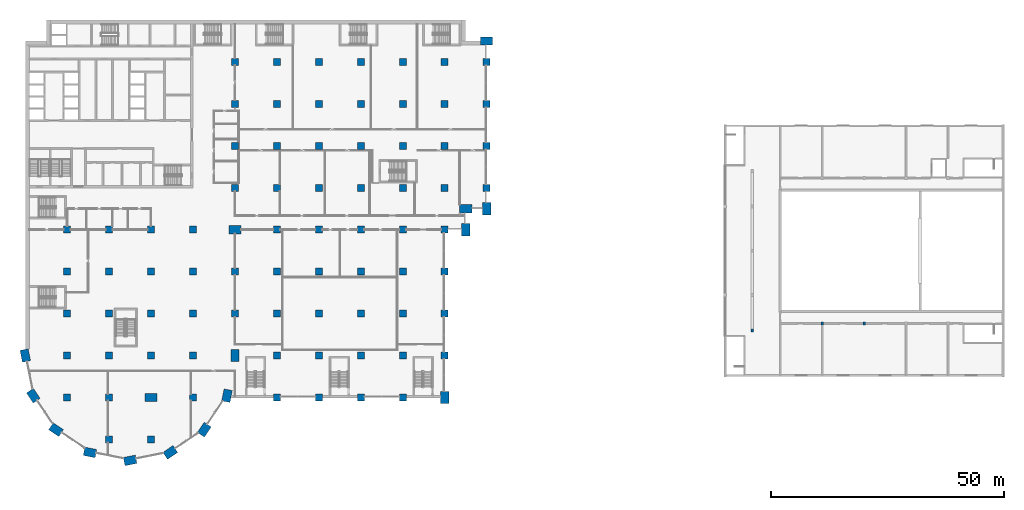
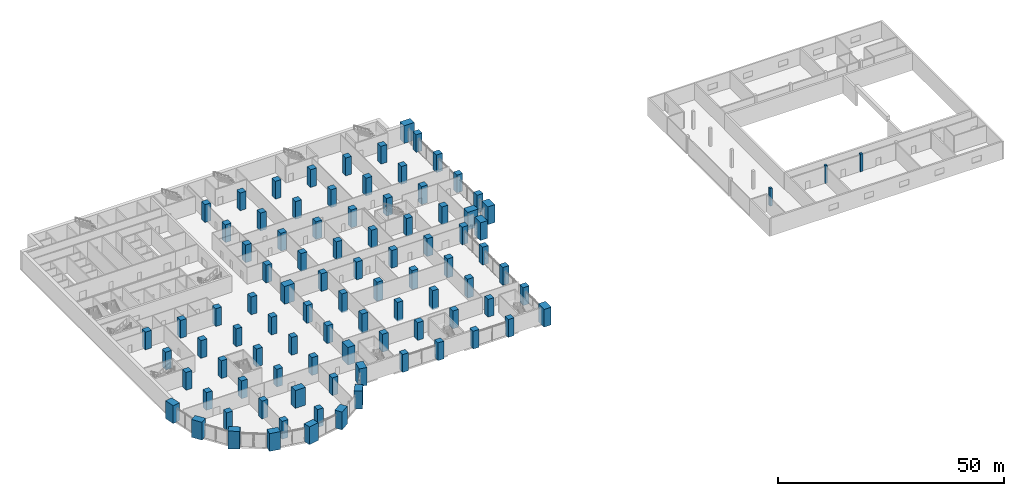
# One storey, part 1 of 31: 94 columns.
"""IFC4 building model written with IfcOpenShell, lengths in metres."""

from ifc_helpers import new_model, si_unit, direction, frame, origin, origin_2d, place, context, subcontext, project, spatial, rectangle, extrude, material, material_profile, profile_set, type_object, element, save


model = new_model("IFC4")

# Units and contexts
model_context = context("Model", 3, precision=1e-05, world=origin(), true_north=direction((0.0, 1.0)))
body_context = subcontext(model_context, "Body", "Model", "MODEL_VIEW")
ifc_project = project(units=[si_unit("LENGTHUNIT", "METRE"), si_unit("AREAUNIT", "SQUARE_METRE"), si_unit("VOLUMEUNIT", "CUBIC_METRE"), si_unit("PLANEANGLEUNIT", "RADIAN"), si_unit("MASSUNIT", "GRAM", prefix="KILO")], contexts=[model_context])

# Site, building, storey
site_placement = place(None, origin())
site = spatial("IfcSite", under=ifc_project, at=site_placement, CompositionType="ELEMENT")
building_placement = place(site_placement, origin())
building = spatial("IfcBuilding", under=site, at=building_placement, Name="Hunhe Ridgeline Campus", CompositionType="ELEMENT")
storey_placement = place(building_placement, frame((0.0, 0.0, 16.800048828125)))
storey = spatial("IfcBuildingStorey", under=building, at=storey_placement, Name="L03", CompositionType="ELEMENT", Elevation=16.800048828125)

# Columns
ifc_material_1 = material(Name="Concrete C50", Category="concrete")
ifc_material_profile_1 = material_profile(ifc_material_1, rectangle(XDim=0.60009765625, YDim=0.60009765625, at=origin_2d()))
ifc_profile_set_1 = profile_set([ifc_material_profile_1], Name="Concrete C50")
column_type_1 = type_object("IfcColumnType", Name="Hall RC column 600x600 C50", PredefinedType="COLUMN", material=ifc_profile_set_1)
for number, where, z_axis, x_axis, name in (
    (1, (171.0, 33.89990234375, 0.0), (0.0, 0.0, 1.0), (1.0, 0.0, 0.0), "Hall column HC-S1"),
    (2, (180.0, 33.89990234375, 0.0), (0.0, 0.0, 1.0), (1.0, 0.0, 0.0), "Hall column HC-S2"),
    (3, (156.0, 32.39990234375, 0.0), (0.0, 0.0, 1.0), (1.0, 0.0, 0.0), "Hall column HC-G1"),
):
    element("IfcColumn", number, at=place(storey_placement, frame(where, z_axis=z_axis, x_axis=x_axis)), inside=storey, type_object=column_type_1, Name=name, PredefinedType="COLUMN", context=body_context, shape_type="SweptSolid", body=[
        extrude(rectangle(XDim=0.60009765625, YDim=0.60009765625, at=origin_2d()), origin(), (0.0, 0.0, 1.0), 4.800048828125),
    ])
ifc_material_2 = material(Name="Concrete C80", Category="concrete")
ifc_material_profile_2 = material_profile(ifc_material_2, rectangle(XDim=2.60009765625, YDim=1.800048828125, at=origin_2d()))
ifc_profile_set_2 = profile_set([ifc_material_profile_2], Name="Concrete C80")
column_type_2 = type_object("IfcColumnType", Name="Megacolumn 2600x1800 Concrete C80", PredefinedType="COLUMN", material=ifc_profile_set_2)
for number, where, z_axis, x_axis, name in (
    (4, (22.5, 4.5, 0.0), (0.0, 0.0, 1.0), (0.980785280403, 0.195090322016, 0.0), "Column C1 R1 L03"),
    (5, (13.8896484375, 6.212646484375, 0.0), (0.0, 0.0, 1.0), (-0.980785280403, 0.195090322016, 0.0), "Column C1 R2 L03"),
    (6, (31.1103515625, 6.212646484375, 0.0), (0.0, 0.0, 1.0), (0.831469612303, 0.55557023302, 0.0), "Column C1 R3 L03"),
    (7, (6.590087890625, 11.090087890625, 0.0), (0.0, 0.0, 1.0), (-0.831469612303, 0.55557023302, 0.0), "Column C1 R4 L03"),
    (8, (38.409912109375, 11.090087890625, 0.0), (0.0, 0.0, 1.0), (0.55557023302, 0.831469612303, 0.0), "Column C1 R5 L03"),
    (9, (1.712646484375, 18.3896484375, 0.0), (0.0, 0.0, 1.0), (-0.55557023302, 0.831469612303, 0.0), "Column C1 R9 L03"),
    (10, (43.287353515625, 18.3896484375, 0.0), (0.0, 0.0, 1.0), (0.195090322016, 0.980785280403, 0.0), "Column C1 R10 L03"),
    (11, (0.0, 27.0, 0.0), (0.0, 0.0, 1.0), (-0.195090322016, 0.980785280403, 0.0), "Column C1 D1 L03"),
    (12, (45.0, 27.0, 0.0), (0.0, 0.0, 1.0), (0.0, 1.0, 0.0), "Column C1 D6 L03"),
    (13, (45.0, 54.0, 0.0), (0.0, 0.0, 1.0), (1.0, 0.0, 0.0), "Column C1 G6 L03"),
    (14, (94.5, 54.0, 0.0), (0.0, 0.0, 1.0), (0.0, 1.0, 0.0), "Column C1 R32 L03"),
    (15, (94.5, 58.5, 0.0), (0.0, 0.0, 1.0), (1.0, 0.0, 0.0), "Column C1 R39 L03"),
    (16, (99.0, 58.5, 0.0), (0.0, 0.0, 1.0), (0.0, 1.0, 0.0), "Column C1 R40 L03"),
    (17, (99.0, 94.5, 0.0), (0.0, 0.0, 1.0), (1.0, 0.0, 0.0), "Column C1 R44 L03"),
    (18, (27.0, 18.0, 0.0), (0.0, 0.0, 1.0), (1.0, 0.0, 0.0), "Column C1 C4 L03"),
    (19, (90.0, 18.0, 0.0), (0.0, 0.0, 1.0), (0.0, 1.0, 0.0), "Column C1 C11 L03"),
):
    element("IfcColumn", number, at=place(storey_placement, frame(where, z_axis=z_axis, x_axis=x_axis)), inside=storey, type_object=column_type_2, Name=name, PredefinedType="COLUMN", context=body_context, shape_type="SweptSolid", body=[
        extrude(rectangle(XDim=2.60009765625, YDim=1.800048828125, at=origin_2d()), origin(), (0.0, 0.0, 1.0), 4.800048828125),
    ])
ifc_material_profile_3 = material_profile(ifc_material_2, rectangle(XDim=1.5, YDim=1.5, at=origin_2d()))
ifc_profile_set_3 = profile_set([ifc_material_profile_3], Name="Concrete C80")
column_type_3 = type_object("IfcColumnType", Name="RC column 1500x1500 Concrete C80", PredefinedType="COLUMN", material=ifc_profile_set_3)
for number, where, z_axis, x_axis, name in (
    (20, (45.0, 36.0, 0.0), (0.0, 0.0, 1.0), (1.0, 0.0, 0.0), "Column C2 E6 L03"),
    (21, (45.0, 45.0, 0.0), (0.0, 0.0, 1.0), (1.0, 0.0, 0.0), "Column C2 F6 L03"),
    (22, (54.0, 54.0, 0.0), (0.0, 0.0, 1.0), (1.0, 0.0, 0.0), "Column C2 G7 L03"),
    (23, (63.0, 54.0, 0.0), (0.0, 0.0, 1.0), (1.0, 0.0, 0.0), "Column C2 G8 L03"),
    (24, (72.0, 54.0, 0.0), (0.0, 0.0, 1.0), (1.0, 0.0, 0.0), "Column C2 G9 L03"),
    (25, (81.0, 54.0, 0.0), (0.0, 0.0, 1.0), (1.0, 0.0, 0.0), "Column C2 G10 L03"),
    (26, (90.0, 54.0, 0.0), (0.0, 0.0, 1.0), (1.0, 0.0, 0.0), "Column C2 G11 L03"),
    (27, (99.0, 63.0, 0.0), (0.0, 0.0, 1.0), (1.0, 0.0, 0.0), "Column C2 H12 L03"),
    (28, (99.0, 72.0, 0.0), (0.0, 0.0, 1.0), (1.0, 0.0, 0.0), "Column C2 I12 L03"),
    (29, (99.0, 81.0, 0.0), (0.0, 0.0, 1.0), (1.0, 0.0, 0.0), "Column C2 J12 L03"),
    (30, (99.0, 90.0, 0.0), (0.0, 0.0, 1.0), (1.0, 0.0, 0.0), "Column C2 K12 L03"),
    (31, (9.0, 18.0, 0.0), (0.0, 0.0, 1.0), (1.0, 0.0, 0.0), "Column C2 C2 L03"),
    (32, (9.0, 27.0, 0.0), (0.0, 0.0, 1.0), (1.0, 0.0, 0.0), "Column C2 D2 L03"),
    (33, (9.0, 36.0, 0.0), (0.0, 0.0, 1.0), (1.0, 0.0, 0.0), "Column C2 E2 L03"),
    (34, (9.0, 45.0, 0.0), (0.0, 0.0, 1.0), (1.0, 0.0, 0.0), "Column C2 F2 L03"),
    (35, (9.0, 54.0, 0.0), (0.0, 0.0, 1.0), (1.0, 0.0, 0.0), "Column C2 G2 L03"),
    (36, (18.0, 18.0, 0.0), (0.0, 0.0, 1.0), (1.0, 0.0, 0.0), "Column C2 C3 L03"),
    (37, (18.0, 27.0, 0.0), (0.0, 0.0, 1.0), (1.0, 0.0, 0.0), "Column C2 D3 L03"),
    (38, (18.0, 36.0, 0.0), (0.0, 0.0, 1.0), (1.0, 0.0, 0.0), "Column C2 E3 L03"),
    (39, (18.0, 45.0, 0.0), (0.0, 0.0, 1.0), (1.0, 0.0, 0.0), "Column C2 F3 L03"),
    (40, (18.0, 54.0, 0.0), (0.0, 0.0, 1.0), (1.0, 0.0, 0.0), "Column C2 G3 L03"),
    (41, (27.0, 27.0, 0.0), (0.0, 0.0, 1.0), (1.0, 0.0, 0.0), "Column C2 D4 L03"),
    (42, (27.0, 36.0, 0.0), (0.0, 0.0, 1.0), (1.0, 0.0, 0.0), "Column C2 E4 L03"),
    (43, (27.0, 45.0, 0.0), (0.0, 0.0, 1.0), (1.0, 0.0, 0.0), "Column C2 F4 L03"),
    (44, (27.0, 54.0, 0.0), (0.0, 0.0, 1.0), (1.0, 0.0, 0.0), "Column C2 G4 L03"),
    (45, (36.0, 18.0, 0.0), (0.0, 0.0, 1.0), (1.0, 0.0, 0.0), "Column C2 C5 L03"),
    (46, (36.0, 27.0, 0.0), (0.0, 0.0, 1.0), (1.0, 0.0, 0.0), "Column C2 D5 L03"),
    (47, (36.0, 36.0, 0.0), (0.0, 0.0, 1.0), (1.0, 0.0, 0.0), "Column C2 E5 L03"),
    (48, (36.0, 45.0, 0.0), (0.0, 0.0, 1.0), (1.0, 0.0, 0.0), "Column C2 F5 L03"),
    (49, (36.0, 54.0, 0.0), (0.0, 0.0, 1.0), (1.0, 0.0, 0.0), "Column C2 G5 L03"),
    (50, (45.0, 63.0, 0.0), (0.0, 0.0, 1.0), (1.0, 0.0, 0.0), "Column C2 H6 L03"),
    (51, (45.0, 72.0, 0.0), (0.0, 0.0, 1.0), (1.0, 0.0, 0.0), "Column C2 I6 L03"),
    (52, (45.0, 81.0, 0.0), (0.0, 0.0, 1.0), (1.0, 0.0, 0.0), "Column C2 J6 L03"),
    (53, (45.0, 90.0, 0.0), (0.0, 0.0, 1.0), (1.0, 0.0, 0.0), "Column C2 K6 L03"),
    (54, (54.0, 63.0, 0.0), (0.0, 0.0, 1.0), (1.0, 0.0, 0.0), "Column C2 H7 L03"),
    (55, (54.0, 72.0, 0.0), (0.0, 0.0, 1.0), (1.0, 0.0, 0.0), "Column C2 I7 L03"),
    (56, (54.0, 81.0, 0.0), (0.0, 0.0, 1.0), (1.0, 0.0, 0.0), "Column C2 J7 L03"),
    (57, (54.0, 90.0, 0.0), (0.0, 0.0, 1.0), (1.0, 0.0, 0.0), "Column C2 K7 L03"),
    (58, (63.0, 63.0, 0.0), (0.0, 0.0, 1.0), (1.0, 0.0, 0.0), "Column C2 H8 L03"),
    (59, (63.0, 72.0, 0.0), (0.0, 0.0, 1.0), (1.0, 0.0, 0.0), "Column C2 I8 L03"),
    (60, (63.0, 81.0, 0.0), (0.0, 0.0, 1.0), (1.0, 0.0, 0.0), "Column C2 J8 L03"),
    (61, (63.0, 90.0, 0.0), (0.0, 0.0, 1.0), (1.0, 0.0, 0.0), "Column C2 K8 L03"),
    (62, (72.0, 63.0, 0.0), (0.0, 0.0, 1.0), (1.0, 0.0, 0.0), "Column C2 H9 L03"),
    (63, (72.0, 72.0, 0.0), (0.0, 0.0, 1.0), (1.0, 0.0, 0.0), "Column C2 I9 L03"),
    (64, (72.0, 81.0, 0.0), (0.0, 0.0, 1.0), (1.0, 0.0, 0.0), "Column C2 J9 L03"),
    (65, (72.0, 90.0, 0.0), (0.0, 0.0, 1.0), (1.0, 0.0, 0.0), "Column C2 K9 L03"),
    (66, (81.0, 63.0, 0.0), (0.0, 0.0, 1.0), (1.0, 0.0, 0.0), "Column C2 H10 L03"),
    (67, (81.0, 72.0, 0.0), (0.0, 0.0, 1.0), (1.0, 0.0, 0.0), "Column C2 I10 L03"),
    (68, (81.0, 81.0, 0.0), (0.0, 0.0, 1.0), (1.0, 0.0, 0.0), "Column C2 J10 L03"),
    (69, (81.0, 90.0, 0.0), (0.0, 0.0, 1.0), (1.0, 0.0, 0.0), "Column C2 K10 L03"),
    (70, (90.0, 63.0, 0.0), (0.0, 0.0, 1.0), (1.0, 0.0, 0.0), "Column C2 H11 L03"),
    (71, (90.0, 72.0, 0.0), (0.0, 0.0, 1.0), (1.0, 0.0, 0.0), "Column C2 I11 L03"),
    (72, (90.0, 81.0, 0.0), (0.0, 0.0, 1.0), (1.0, 0.0, 0.0), "Column C2 J11 L03"),
    (73, (90.0, 90.0, 0.0), (0.0, 0.0, 1.0), (1.0, 0.0, 0.0), "Column C2 K11 L03"),
    (74, (54.0, 18.0, 0.0), (0.0, 0.0, 1.0), (1.0, 0.0, 0.0), "Column C2 C7 L03"),
    (75, (63.0, 18.0, 0.0), (0.0, 0.0, 1.0), (1.0, 0.0, 0.0), "Column C2 C8 L03"),
    (76, (72.0, 18.0, 0.0), (0.0, 0.0, 1.0), (1.0, 0.0, 0.0), "Column C2 C9 L03"),
    (77, (81.0, 18.0, 0.0), (0.0, 0.0, 1.0), (1.0, 0.0, 0.0), "Column C2 C10 L03"),
    (78, (90.0, 27.0, 0.0), (0.0, 0.0, 1.0), (1.0, 0.0, 0.0), "Column C2 D11 L03"),
    (79, (90.0, 36.0, 0.0), (0.0, 0.0, 1.0), (1.0, 0.0, 0.0), "Column C2 E11 L03"),
    (80, (90.0, 45.0, 0.0), (0.0, 0.0, 1.0), (1.0, 0.0, 0.0), "Column C2 F11 L03"),
    (81, (18.0, 9.0, 0.0), (0.0, 0.0, 1.0), (1.0, 0.0, 0.0), "Column C2 B3 L03"),
    (82, (27.0, 9.0, 0.0), (0.0, 0.0, 1.0), (1.0, 0.0, 0.0), "Column C2 B4 L03"),
    (83, (54.0, 27.0, 0.0), (0.0, 0.0, 1.0), (1.0, 0.0, 0.0), "Column C2 D7 L03"),
):
    element("IfcColumn", number, at=place(storey_placement, frame(where, z_axis=z_axis, x_axis=x_axis)), inside=storey, type_object=column_type_3, Name=name, PredefinedType="COLUMN", context=body_context, shape_type="SweptSolid", body=[
        extrude(rectangle(XDim=1.5, YDim=1.5, at=origin_2d()), origin(), (0.0, 0.0, 1.0), 4.800048828125),
    ])
for number, where, z_axis, x_axis, name in (
    (84, (54.0, 36.0, -0.35009765625), (0.0, 0.0, 1.0), (1.0, 0.0, 0.0), "Column C2 E7 L03"),
    (85, (54.0, 45.0, -0.35009765625), (0.0, 0.0, 1.0), (1.0, 0.0, 0.0), "Column C2 F7 L03"),
):
    element("IfcColumn", number, at=place(storey_placement, frame(where, z_axis=z_axis, x_axis=x_axis)), inside=storey, type_object=column_type_3, Name=name, PredefinedType="COLUMN", context=body_context, shape_type="SweptSolid", body=[
        extrude(rectangle(XDim=1.5, YDim=1.5, at=origin_2d()), origin(), (0.0, 0.0, 1.0), 5.150146484375),
    ])
column_1_placement = place(storey_placement, frame((63.0, 27.0, 0.0), z_axis=(0.0, 0.0, 1.0), x_axis=(1.0, 0.0, 0.0)))
element("IfcColumn", 86, at=column_1_placement, inside=storey, type_object=column_type_3, Name="Column C2 D8 L03", PredefinedType="COLUMN", context=body_context, shape_type="SweptSolid", body=[
    extrude(rectangle(XDim=1.5, YDim=1.5, at=origin_2d()), origin(), (0.0, 0.0, 1.0), 4.800048828125),
])
for number, where, z_axis, x_axis, name in (
    (87, (63.0, 36.0, -0.35009765625), (0.0, 0.0, 1.0), (1.0, 0.0, 0.0), "Column C2 E8 L03"),
    (88, (63.0, 45.0, -0.35009765625), (0.0, 0.0, 1.0), (1.0, 0.0, 0.0), "Column C2 F8 L03"),
):
    element("IfcColumn", number, at=place(storey_placement, frame(where, z_axis=z_axis, x_axis=x_axis)), inside=storey, type_object=column_type_3, Name=name, PredefinedType="COLUMN", context=body_context, shape_type="SweptSolid", body=[
        extrude(rectangle(XDim=1.5, YDim=1.5, at=origin_2d()), origin(), (0.0, 0.0, 1.0), 5.150146484375),
    ])
column_2_placement = place(storey_placement, frame((72.0, 27.0, 0.0), z_axis=(0.0, 0.0, 1.0), x_axis=(1.0, 0.0, 0.0)))
element("IfcColumn", 89, at=column_2_placement, inside=storey, type_object=column_type_3, Name="Column C2 D9 L03", PredefinedType="COLUMN", context=body_context, shape_type="SweptSolid", body=[
    extrude(rectangle(XDim=1.5, YDim=1.5, at=origin_2d()), origin(), (0.0, 0.0, 1.0), 4.800048828125),
])
for number, where, z_axis, x_axis, name in (
    (90, (72.0, 36.0, -0.35009765625), (0.0, 0.0, 1.0), (1.0, 0.0, 0.0), "Column C2 E9 L03"),
    (91, (72.0, 45.0, -0.35009765625), (0.0, 0.0, 1.0), (1.0, 0.0, 0.0), "Column C2 F9 L03"),
):
    element("IfcColumn", number, at=place(storey_placement, frame(where, z_axis=z_axis, x_axis=x_axis)), inside=storey, type_object=column_type_3, Name=name, PredefinedType="COLUMN", context=body_context, shape_type="SweptSolid", body=[
        extrude(rectangle(XDim=1.5, YDim=1.5, at=origin_2d()), origin(), (0.0, 0.0, 1.0), 5.150146484375),
    ])
column_3_placement = place(storey_placement, frame((81.0, 27.0, 0.0), z_axis=(0.0, 0.0, 1.0), x_axis=(1.0, 0.0, 0.0)))
element("IfcColumn", 92, at=column_3_placement, inside=storey, type_object=column_type_3, Name="Column C2 D10 L03", PredefinedType="COLUMN", context=body_context, shape_type="SweptSolid", body=[
    extrude(rectangle(XDim=1.5, YDim=1.5, at=origin_2d()), origin(), (0.0, 0.0, 1.0), 4.800048828125),
])
for number, where, z_axis, x_axis, name in (
    (93, (81.0, 36.0, -0.35009765625), (0.0, 0.0, 1.0), (1.0, 0.0, 0.0), "Column C2 E10 L03"),
    (94, (81.0, 45.0, -0.35009765625), (0.0, 0.0, 1.0), (1.0, 0.0, 0.0), "Column C2 F10 L03"),
):
    element("IfcColumn", number, at=place(storey_placement, frame(where, z_axis=z_axis, x_axis=x_axis)), inside=storey, type_object=column_type_3, Name=name, PredefinedType="COLUMN", context=body_context, shape_type="SweptSolid", body=[
        extrude(rectangle(XDim=1.5, YDim=1.5, at=origin_2d()), origin(), (0.0, 0.0, 1.0), 5.150146484375),
    ])

save(model, "model.ifc")
